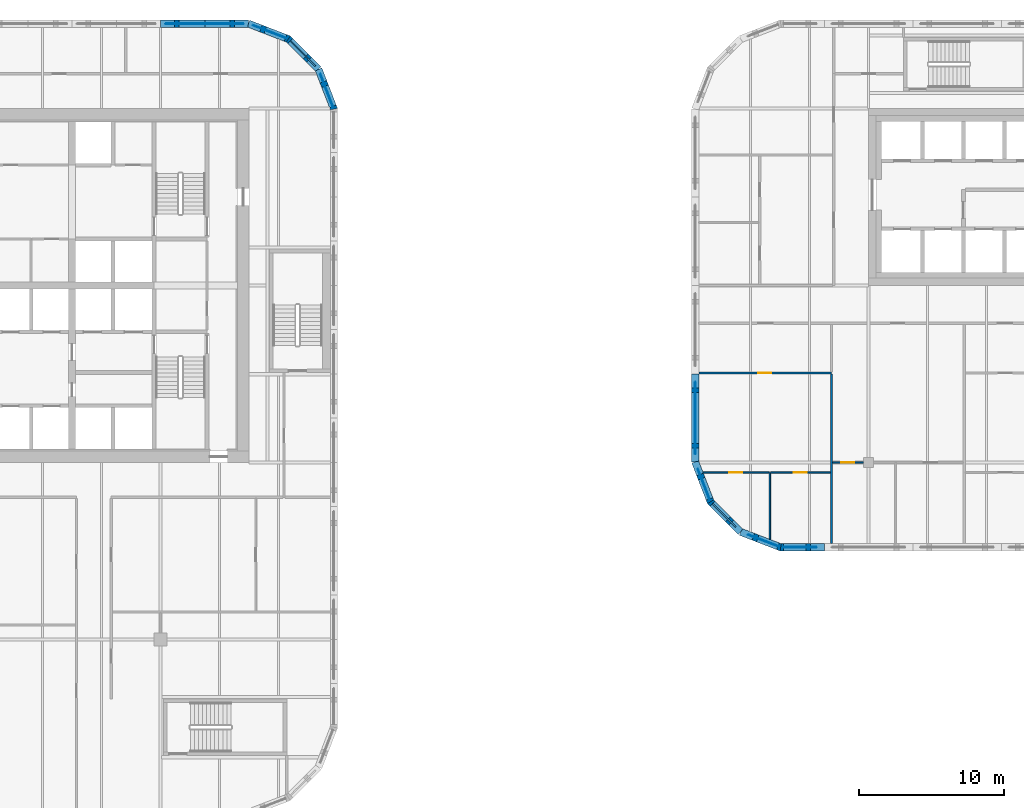
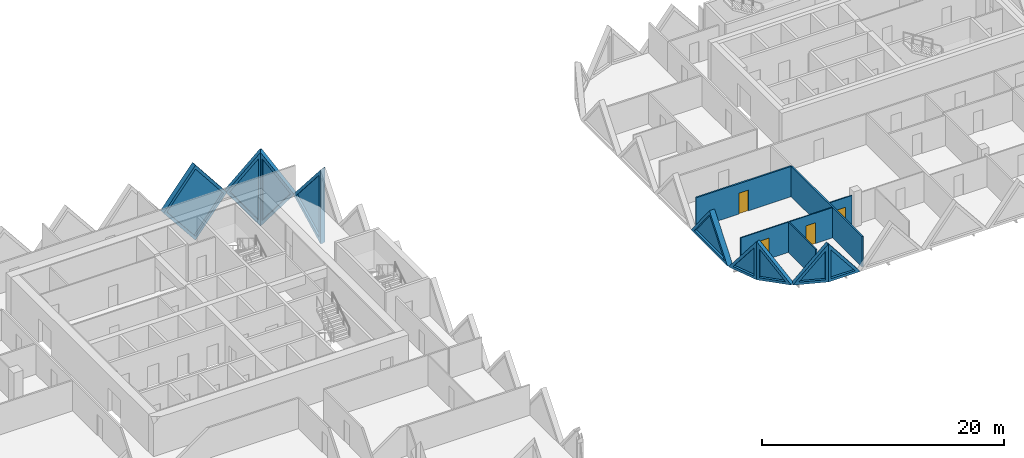
# One storey, part 11 of 18: 15 walls, 9 plates, 4 doors, 13 openings.
"""IFC4 building model written with IfcOpenShell, lengths in metres."""

from ifc_helpers import new_model, si_unit, direction, frame, frame_2d, origin, place, context, subcontext, project, spatial, polyline, rectangle, outline, extrude, faceted_brep, source, transform, mapped, material, layer, layer_set, type_object, element, fill, save


model = new_model("IFC4")

# Units and contexts
model_context = context("Model", 3, precision=1e-05, world=origin(), true_north=direction((0.0, 1.0)))
body_context = subcontext(model_context, "Body", "Model", "MODEL_VIEW")
ifc_project = project(units=[si_unit("LENGTHUNIT", "METRE"), si_unit("AREAUNIT", "SQUARE_METRE"), si_unit("VOLUMEUNIT", "CUBIC_METRE"), si_unit("PLANEANGLEUNIT", "RADIAN"), si_unit("MASSUNIT", "GRAM", prefix="KILO")], contexts=[model_context])

# Site, building, storey
site_placement = place(None, origin())
site = spatial("IfcSite", under=ifc_project, at=site_placement, CompositionType="ELEMENT")
building_placement = place(site_placement, origin())
building = spatial("IfcBuilding", under=site, at=building_placement, Name="Tessera Gate Towers", CompositionType="ELEMENT")
storey_placement = place(building_placement, frame((0.0, 0.0, 95.199951171875)))
storey = spatial("IfcBuildingStorey", under=building, at=storey_placement, Name="L23", CompositionType="ELEMENT", Elevation=95.199951171875)

# Wall
ifc_material_1 = material(Name="Gypsum board on steel studs", Category="steel")
ifc_layer_1 = layer(ifc_material_1, 0.10009765625)
ifc_layer_set_1 = layer_set([ifc_layer_1], Name="PARTITION 100")
wall_type_1 = type_object("IfcWallType", Name="PARTITION 100", PredefinedType="PARTITIONING", material=ifc_layer_set_1)
wall_1_placement = place(storey_placement, frame((90.794921875, 19.10791015625, 0.0), z_axis=(0.0, 0.0, 1.0), x_axis=(0.0, 1.0, 0.0)))
element("IfcWall", 1, at=wall_1_placement, inside=storey, type_object=wall_type_1, Name="T2-L23-PW-007", PredefinedType="PARTITIONING", context=body_context, shape_type="SweptSolid", body=[
    extrude(rectangle(XDim=4.592041015625, YDim=0.10009765625, at=frame_2d((2.2958984375, 0.0))), origin(), (0.0, 0.0, 1.0), 3.067138671875),
])

# Wall, opening, door
wall_2_placement = place(storey_placement, frame((90.744140625, 23.699951171875, 0.0), z_axis=(0.0, 0.0, 1.0), x_axis=(-1.0, 0.0, 0.0)))
wall_2 = element("IfcWall", 2, at=wall_2_placement, inside=storey, type_object=wall_type_1, Name="T2-L23-PW-008", PredefinedType="PARTITIONING", context=body_context, shape_type="SweptSolid", body=[
    extrude(rectangle(XDim=4.538330078125, YDim=0.10009765625, at=frame_2d((2.26904296875, 0.0))), origin(), (0.0, 0.0, 1.0), 3.067138671875),
])
shared_shape_1 = source(origin(), body_context, "Body", "SweptSolid", [
    extrude(rectangle(XDim=0.89990234375, YDim=2.10009765625, at=frame_2d((0.449951171875, 1.050048828125))), frame((0.0, 0.06005859375, 0.0), z_axis=(0.0, -1.0, 0.0), x_axis=(1.0, 0.0, 0.0)), (0.0, 0.0, 1.0), 0.1201171875),
])
opening_1_placement = place(wall_2_placement, frame((1.83837890625, 0.0, 0.0)))
opening_1 = element("IfcOpeningElement", 3, at=opening_1_placement, cuts=wall_2, Name="Opening D190-B10-04", PredefinedType="OPENING", context=body_context, shape_type="MappedRepresentation", body=[
    mapped(shared_shape_1, transform((0.0, 0.0, 0.0), scale=1.0)),
])
ifc_material_2 = material(Name="Timber door leaf in steel frame", Category="steel")
door_type = type_object("IfcDoorType", Name="INTERNAL DOOR 900 NOT RATED", OperationType="NOTDEFINED", PredefinedType="DOOR", material=ifc_material_2)
shared_shape_2 = source(origin(), body_context, "Body", "SweptSolid", [
    extrude(rectangle(XDim=0.89990234375, YDim=2.10009765625, at=frame_2d((0.449951171875, 1.050048828125))), frame((0.0, 0.02490234375, 0.0), z_axis=(0.0, -1.0, 0.0), x_axis=(1.0, 0.0, 0.0)), (0.0, 0.0, 1.0), 0.050048828125),
])
door_1_placement = place(opening_1_placement, origin())
door_1 = element("IfcDoor", 4, at=door_1_placement, inside=storey, type_object=door_type, Name="T2-L23-PD-004", OperationType="SINGLE_SWING_RIGHT", OverallHeight=2.10009765625, OverallWidth=0.89990234375, PredefinedType="DOOR", context=body_context, shape_type="MappedRepresentation", body=[
    mapped(shared_shape_2, transform((0.0, 0.0, 0.0), scale=1.0)),
])
fill(opening_1, door_1)

wall_3_placement = place(storey_placement, frame((94.97412109375, 23.699951171875, 0.0), z_axis=(0.0, 0.0, 1.0), x_axis=(-1.0, 0.0, 0.0)))
wall_3 = element("IfcWall", 5, at=wall_3_placement, inside=storey, type_object=wall_type_1, Name="T2-L23-PW-009", PredefinedType="PARTITIONING", context=body_context, shape_type="SweptSolid", body=[
    extrude(rectangle(XDim=4.1279296875, YDim=0.10009765625, at=frame_2d((2.06396484375, 0.0))), origin(), (0.0, 0.0, 1.0), 3.067138671875),
])
opening_2_placement = place(wall_3_placement, frame((1.627685546875, 0.0, 0.0)))
opening_2 = element("IfcOpeningElement", 6, at=opening_2_placement, cuts=wall_3, Name="Opening D190-B10-02", PredefinedType="OPENING", context=body_context, shape_type="MappedRepresentation", body=[
    mapped(shared_shape_1, transform((0.0, 0.0, 0.0), scale=1.0)),
])
door_2_placement = place(opening_2_placement, origin())
door_2 = element("IfcDoor", 7, at=door_2_placement, inside=storey, type_object=door_type, Name="T2-L23-PD-002", OperationType="SINGLE_SWING_RIGHT", OverallHeight=2.10009765625, OverallWidth=0.89990234375, PredefinedType="DOOR", context=body_context, shape_type="MappedRepresentation", body=[
    mapped(shared_shape_2, transform((0.0, 0.0, 0.0), scale=1.0)),
])
fill(opening_2, door_2)

wall_4_placement = place(storey_placement, frame((97.2490234375, 24.39990234375, 0.0), z_axis=(0.0, 0.0, 1.0), x_axis=(-1.0, 0.0, 0.0)))
wall_4 = element("IfcWall", 8, at=wall_4_placement, inside=storey, type_object=wall_type_1, Name="T2-L23-PW-013", PredefinedType="PARTITIONING", context=body_context, shape_type="SweptSolid", body=[
    extrude(rectangle(XDim=2.123046875, YDim=0.10009765625, at=frame_2d((1.0615234375, 0.0))), origin(), (0.0, 0.0, 1.0), 3.067138671875),
])
opening_3_placement = place(wall_4_placement, frame((0.623046875, 0.0, 0.0)))
opening_3 = element("IfcOpeningElement", 9, at=opening_3_placement, cuts=wall_4, Name="Opening D190-B10-01", PredefinedType="OPENING", context=body_context, shape_type="MappedRepresentation", body=[
    mapped(shared_shape_1, transform((0.0, 0.0, 0.0), scale=1.0)),
])
door_3_placement = place(opening_3_placement, origin())
door_3 = element("IfcDoor", 10, at=door_3_placement, inside=storey, type_object=door_type, Name="T2-L23-PD-001", OperationType="SINGLE_SWING_RIGHT", OverallHeight=2.10009765625, OverallWidth=0.89990234375, PredefinedType="DOOR", context=body_context, shape_type="MappedRepresentation", body=[
    mapped(shared_shape_2, transform((0.0, 0.0, 0.0), scale=1.0)),
])
fill(opening_3, door_3)

# Wall
ifc_material_3 = material(Name="Gypsum board on steel studs, mineral wool", Category="steel")
ifc_layer_2 = layer(ifc_material_3, 0.14990234375)
ifc_layer_set_2 = layer_set([ifc_layer_2], Name="TENANCY WALL 150")
wall_type_2 = type_object("IfcWallType", Name="TENANCY WALL 150", PredefinedType="PARTITIONING", material=ifc_layer_set_2)
wall_5_placement = place(storey_placement, frame((95.050048828125, 18.800048828125, 0.0), z_axis=(0.0, 0.0, 1.0), x_axis=(0.0, 1.0, 0.0)))
element("IfcWall", 11, at=wall_5_placement, inside=storey, type_object=wall_type_2, Name="T2-L23-PW-001", PredefinedType="PARTITIONING", context=body_context, shape_type="SweptSolid", body=[
    extrude(rectangle(XDim=11.698974609375, YDim=0.14990234375, at=frame_2d((5.849609375, 0.0))), origin(), (0.0, 0.0, 1.0), 3.067138671875),
])

# Wall, opening, door
wall_6_placement = place(storey_placement, frame((95.050048828125, 30.574951171875, 0.0), z_axis=(0.0, 0.0, 1.0), x_axis=(-1.0, 0.0, 0.0)))
wall_6 = element("IfcWall", 12, at=wall_6_placement, inside=storey, type_object=wall_type_2, Name="T2-L23-PW-017", PredefinedType="PARTITIONING", context=body_context, shape_type="SweptSolid", body=[
    extrude(rectangle(XDim=9.150146484375, YDim=0.14990234375, at=frame_2d((4.5751953125, 0.0))), origin(), (0.0, 0.0, 1.0), 3.067138671875),
])
shared_shape_3 = source(origin(), body_context, "Body", "SweptSolid", [
    extrude(rectangle(XDim=0.89990234375, YDim=2.10009765625, at=frame_2d((0.449951171875, 1.050048828125))), frame((0.0, 0.0849609375, 0.0), z_axis=(0.0, -1.0, 0.0), x_axis=(1.0, 0.0, 0.0)), (0.0, 0.0, 1.0), 0.169921875),
])
opening_4_placement = place(wall_6_placement, frame((4.14990234375, 0.0, 0.0)))
opening_4 = element("IfcOpeningElement", 13, at=opening_4_placement, cuts=wall_6, Name="Opening D190-B10-13", PredefinedType="OPENING", context=body_context, shape_type="MappedRepresentation", body=[
    mapped(shared_shape_3, transform((0.0, 0.0, 0.0), scale=1.0)),
])
door_4_placement = place(opening_4_placement, origin())
door_4 = element("IfcDoor", 14, at=door_4_placement, inside=storey, type_object=door_type, Name="T2-L23-PD-019", OperationType="SINGLE_SWING_RIGHT", OverallHeight=2.10009765625, OverallWidth=0.89990234375, PredefinedType="DOOR", context=body_context, shape_type="MappedRepresentation", body=[
    mapped(shared_shape_2, transform((0.0, 0.0, 0.0), scale=1.0)),
])
fill(opening_4, door_4)

# Wall, opening, plate
ifc_material_4 = material(Name="Precast concrete C60/75 white", Category="concrete")
ifc_layer_3 = layer(ifc_material_4, 0.5)
ifc_layer_set_3 = layer_set([ifc_layer_3], Name="TS3 corner tessera")
wall_type_3 = type_object("IfcWallType", Name="TS3 corner tessera", PredefinedType="SOLIDWALL", material=ifc_layer_set_3)
shared_shape_4 = source(origin(), body_context, "Body", "Brep", [
    faceted_brep([(3.050048828125, -0.25, 0.0), (0.046630859375, -0.25, 3.800048828125), (0.0, -0.25, 3.739990234375), (0.0, -0.25, 0.0), (0.09326171875, 0.25, 3.7412109375), (3.050048828125, 0.25, 0.0), (0.09326171875, 0.25, 0.0), (0.046630859375, 0.0, 3.800048828125)], [[[0, 1, 2, 3]], [[4, 5, 6]], [[5, 4, 7, 1, 0]], [[2, 1, 7]], [[6, 5, 0, 3]], [[6, 3, 2, 7, 4]]]),
])
wall_7_placement = place(storey_placement, frame((91.5, 18.550048828125, 0.0), z_axis=(0.0, 0.0, 1.0), x_axis=(1.0, 0.0, 0.0)))
wall_7 = element("IfcWall", 15, at=wall_7_placement, inside=storey, type_object=wall_type_3, Name="Precast corner tessera T2 TS3-0353", PredefinedType="SOLIDWALL", context=body_context, shape_type="MappedRepresentation", body=[
    mapped(shared_shape_4, transform((0.0, 0.0, 0.0), scale=1.0)),
])
shared_shape_5 = source(origin(), body_context, "Body", "SweptSolid", [
    extrude(outline(polyline([(2.533935546875, 0.25), (0.24658203125, 3.143798828125), (0.24658203125, 0.25), (2.533935546875, 0.25)])), frame((0.0, 0.260009765625, 0.0), z_axis=(0.0, -1.0, 0.0), x_axis=(1.0, 0.0, 0.0)), (0.0, 0.0, 1.0), 0.52001953125),
])
opening_5_placement = place(wall_7_placement, origin())
opening_5 = element("IfcOpeningElement", 16, at=opening_5_placement, cuts=wall_7, Name="Opening T2-PL1-0204", PredefinedType="OPENING", context=body_context, shape_type="MappedRepresentation", body=[
    mapped(shared_shape_5, transform((0.0, 0.0, 0.0), scale=1.0)),
])
ifc_material_5 = material(Name="Low-e laminated glass", Category="glass")
ifc_layer_4 = layer(ifc_material_5, 0.06005859375)
ifc_layer_set_4 = layer_set([ifc_layer_4], Name="PL1 triangular pane")
plate_type_1 = type_object("IfcPlateType", Name="PL1 triangular pane", PredefinedType="SHEET", material=ifc_layer_set_4)
shared_shape_6 = source(origin(), body_context, "Body", "SweptSolid", [
    extrude(outline(polyline([(2.533935546875, 0.25), (0.24658203125, 3.143798828125), (0.24658203125, 0.25), (2.533935546875, 0.25)])), frame((0.0, 0.030029296875, 0.0), z_axis=(0.0, -1.0, 0.0), x_axis=(1.0, 0.0, 0.0)), (0.0, 0.0, 1.0), 0.06005859375),
])
plate_1_placement = place(opening_5_placement, origin())
plate_1 = element("IfcPlate", 17, at=plate_1_placement, inside=storey, type_object=plate_type_1, Name="Glass pane T2 PL1-0204", PredefinedType="SHEET", context=body_context, shape_type="MappedRepresentation", body=[
    mapped(shared_shape_6, transform((0.0, 0.0, 0.0), scale=1.0)),
])
fill(opening_5, plate_1)

shared_shape_7 = source(origin(), body_context, "Body", "Brep", [
    faceted_brep([(2.9970703125, -0.25, 3.740966796875), (2.950439453125, -0.25, 3.800048828125), (0.0, -0.25, 0.0), (2.9970703125, -0.25, 0.0), (0.052978515625, 0.25, 0.068115234375), (2.904052734375, 0.25, 3.740234375), (2.904052734375, 0.25, 0.0), (0.052978515625, 0.25, 0.0), (2.950439453125, 0.00048828125, 3.800048828125), (0.0, 0.0, 0.0)], [[[0, 1, 2, 3]], [[4, 5, 6, 7]], [[8, 1, 0]], [[5, 4, 9, 2, 1, 8]], [[7, 6, 3, 2, 9]], [[7, 9, 4]], [[3, 6, 5, 8, 0]]]),
])
wall_8_placement = place(storey_placement, frame((88.793701171875, 19.61181640625, 0.0), z_axis=(0.0, 0.0, 1.0), x_axis=(0.933000876937, -0.359874094142, 0.0)))
wall_8 = element("IfcWall", 18, at=wall_8_placement, inside=storey, type_object=wall_type_3, Name="Precast corner tessera T2 TS3-0354", PredefinedType="SOLIDWALL", context=body_context, shape_type="MappedRepresentation", body=[
    mapped(shared_shape_7, transform((0.0, 0.0, 0.0), scale=1.0)),
])
shared_shape_8 = source(origin(), body_context, "Body", "SweptSolid", [
    extrude(outline(polyline([(2.75048828125, 3.134765625), (0.5107421875, 0.25), (2.75048828125, 0.25), (2.75048828125, 3.134765625)])), frame((0.0, 0.260009765625, 0.0), z_axis=(0.0, -1.0, 0.0), x_axis=(1.0, 0.0, 0.0)), (0.0, 0.0, 1.0), 0.52001953125),
])
opening_6_placement = place(wall_8_placement, origin())
opening_6 = element("IfcOpeningElement", 19, at=opening_6_placement, cuts=wall_8, Name="Opening T2-PL1-0205", PredefinedType="OPENING", context=body_context, shape_type="MappedRepresentation", body=[
    mapped(shared_shape_8, transform((0.0, 0.0, 0.0), scale=1.0)),
])
shared_shape_9 = source(origin(), body_context, "Body", "SweptSolid", [
    extrude(outline(polyline([(2.75048828125, 3.134765625), (0.5107421875, 0.25), (2.75048828125, 0.25), (2.75048828125, 3.134765625)])), frame((0.0, 0.030029296875, 0.0), z_axis=(0.0, -1.0, 0.0), x_axis=(1.0, 0.0, 0.0)), (0.0, 0.0, 1.0), 0.06005859375),
])
plate_2_placement = place(opening_6_placement, origin())
plate_2 = element("IfcPlate", 20, at=plate_2_placement, inside=storey, type_object=plate_type_1, Name="Glass pane T2 PL1-0205", PredefinedType="SHEET", context=body_context, shape_type="MappedRepresentation", body=[
    mapped(shared_shape_9, transform((0.0, 0.0, 0.0), scale=1.0)),
])
fill(opening_6, plate_2)

ifc_material_6 = material(Name="Precast concrete C60/75 white", Category="concrete")
ifc_layer_5 = layer(ifc_material_6, 0.5)
ifc_layer_set_5 = layer_set([ifc_layer_5], Name="TS2 half tessera")
wall_type_4 = type_object("IfcWallType", Name="TS2 half tessera", PredefinedType="SOLIDWALL", material=ifc_layer_set_5)
shared_shape_10 = source(origin(), body_context, "Body", "Brep", [
    faceted_brep([(6.053466796875, -0.25, 0.0), (3.050048828125, -0.25, 3.800048828125), (0.0, -0.25, 0.0), (0.0, 0.25, 0.0), (3.050048828125, 0.25, 3.800048828125), (6.0068359375, 0.25, 0.058837890625), (6.0068359375, 0.25, 0.0), (6.053466796875, 0.0, 0.0)], [[[0, 1, 2]], [[3, 4, 5, 6]], [[5, 4, 1, 0, 7]], [[4, 3, 2, 1]], [[3, 6, 7, 0, 2]], [[7, 6, 5]]]),
])
wall_9_placement = place(storey_placement, frame((85.64990234375, 30.5, 0.0), z_axis=(0.0, 0.0, 1.0), x_axis=(0.0, -1.0, 0.0)))
wall_9 = element("IfcWall", 21, at=wall_9_placement, inside=storey, type_object=wall_type_4, Name="Precast half tessera T2 TS2-0127", PredefinedType="SOLIDWALL", context=body_context, shape_type="MappedRepresentation", body=[
    mapped(shared_shape_10, transform((0.0, 0.0, 0.0), scale=1.0)),
])
shared_shape_11 = source(origin(), body_context, "Body", "SweptSolid", [
    extrude(outline(polyline([(5.537109375, 0.25), (3.048583984375, 3.398681640625), (0.521240234375, 0.25), (5.537109375, 0.25)])), frame((0.0, 0.260009765625, 0.0), z_axis=(0.0, -1.0, 0.0), x_axis=(1.0, 0.0, 0.0)), (0.0, 0.0, 1.0), 0.52001953125),
])
opening_7_placement = place(wall_9_placement, origin())
opening_7 = element("IfcOpeningElement", 22, at=opening_7_placement, cuts=wall_9, Name="Opening T2-PL1-0229", PredefinedType="OPENING", context=body_context, shape_type="MappedRepresentation", body=[
    mapped(shared_shape_11, transform((0.0, 0.0, 0.0), scale=1.0)),
])
shared_shape_12 = source(origin(), body_context, "Body", "SweptSolid", [
    extrude(outline(polyline([(5.537109375, 0.25), (3.048583984375, 3.398681640625), (0.521240234375, 0.25), (5.537109375, 0.25)])), frame((0.0, 0.030029296875, 0.0), z_axis=(0.0, -1.0, 0.0), x_axis=(1.0, 0.0, 0.0)), (0.0, 0.0, 1.0), 0.06005859375),
])
plate_3_placement = place(opening_7_placement, origin())
plate_3 = element("IfcPlate", 23, at=plate_3_placement, inside=storey, type_object=plate_type_1, Name="Glass pane T2 PL1-0229", PredefinedType="SHEET", context=body_context, shape_type="MappedRepresentation", body=[
    mapped(shared_shape_12, transform((0.0, 0.0, 0.0), scale=1.0)),
])
fill(opening_7, plate_3)

shared_shape_13 = source(origin(), body_context, "Body", "Brep", [
    faceted_brep([(3.00341796875, -0.25, 3.731689453125), (2.950439453125, -0.25, 3.800048828125), (0.0, -0.25, 0.0), (3.00341796875, -0.25, 0.0), (0.046630859375, 0.25, 0.06005859375), (2.897705078125, 0.25, 3.73193359375), (2.897705078125, 0.25, 0.0), (0.046630859375, 0.25, 0.0), (2.950439453125, 0.00048828125, 3.800048828125), (0.0, 0.0, 0.0)], [[[0, 1, 2, 3]], [[4, 5, 6, 7]], [[8, 1, 0]], [[5, 4, 9, 2, 1, 8]], [[7, 6, 3, 2, 9]], [[7, 9, 4]], [[3, 6, 5, 8, 0]]]),
])
wall_10_placement = place(storey_placement, frame((85.64990234375, 24.446533203125, 0.0), z_axis=(0.0, 0.0, 1.0), x_axis=(0.35992665181, -0.932980602862, 0.0)))
wall_10 = element("IfcWall", 24, at=wall_10_placement, inside=storey, type_object=wall_type_3, Name="Precast corner tessera T2 TS3-0359", PredefinedType="SOLIDWALL", context=body_context, shape_type="MappedRepresentation", body=[
    mapped(shared_shape_13, transform((0.0, 0.0, 0.0), scale=1.0)),
])
opening_8_placement = place(wall_10_placement, origin())
opening_8 = element("IfcOpeningElement", 25, at=opening_8_placement, cuts=wall_10, Name="Opening T2-PL1-0230", PredefinedType="OPENING", context=body_context, shape_type="MappedRepresentation", body=[
    mapped(shared_shape_8, transform((0.0, 0.0, 0.0), scale=1.0)),
])
plate_4_placement = place(opening_8_placement, origin())
plate_4 = element("IfcPlate", 26, at=plate_4_placement, inside=storey, type_object=plate_type_1, Name="Glass pane T2 PL1-0230", PredefinedType="SHEET", context=body_context, shape_type="MappedRepresentation", body=[
    mapped(shared_shape_9, transform((0.0, 0.0, 0.0), scale=1.0)),
])
fill(opening_8, plate_4)

shared_shape_14 = source(origin(), body_context, "Body", "Brep", [
    faceted_brep([(2.9970703125, -0.25, 0.0), (0.052978515625, -0.25, 3.800048828125), (0.0, -0.25, 3.73193359375), (0.0, -0.25, 0.0), (0.10595703125, 0.25, 3.731689453125), (2.944091796875, 0.25, 0.068115234375), (2.944091796875, 0.25, 0.0), (0.10595703125, 0.25, 0.0), (0.052978515625, 0.0, 3.800048828125), (2.9970703125, 0.000244140625, 0.0)], [[[0, 1, 2, 3]], [[4, 5, 6, 7]], [[5, 4, 8, 1, 0, 9]], [[2, 1, 8]], [[7, 6, 9, 0, 3]], [[7, 3, 2, 8, 4]], [[9, 6, 5]]]),
])
wall_11_placement = place(storey_placement, frame((86.674560546875, 21.731201171875, 0.0), z_axis=(0.0, 0.0, 1.0), x_axis=(0.707106781187, -0.707106781187, 0.0)))
wall_11 = element("IfcWall", 27, at=wall_11_placement, inside=storey, type_object=wall_type_3, Name="Precast corner tessera T2 TS3-0360", PredefinedType="SOLIDWALL", context=body_context, shape_type="MappedRepresentation", body=[
    mapped(shared_shape_14, transform((0.0, 0.0, 0.0), scale=1.0)),
])
shared_shape_15 = source(origin(), body_context, "Body", "SweptSolid", [
    extrude(outline(polyline([(2.487060546875, 0.25), (0.2529296875, 3.1337890625), (0.2529296875, 0.25), (2.487060546875, 0.25)])), frame((0.0, 0.260009765625, 0.0), z_axis=(0.0, -1.0, 0.0), x_axis=(1.0, 0.0, 0.0)), (0.0, 0.0, 1.0), 0.52001953125),
])
opening_9_placement = place(wall_11_placement, origin())
opening_9 = element("IfcOpeningElement", 28, at=opening_9_placement, cuts=wall_11, Name="Opening T2-PL1-0231", PredefinedType="OPENING", context=body_context, shape_type="MappedRepresentation", body=[
    mapped(shared_shape_15, transform((0.0, 0.0, 0.0), scale=1.0)),
])
shared_shape_16 = source(origin(), body_context, "Body", "SweptSolid", [
    extrude(outline(polyline([(2.487060546875, 0.25), (0.2529296875, 3.1337890625), (0.2529296875, 0.25), (2.487060546875, 0.25)])), frame((0.0, 0.030029296875, 0.0), z_axis=(0.0, -1.0, 0.0), x_axis=(1.0, 0.0, 0.0)), (0.0, 0.0, 1.0), 0.06005859375),
])
plate_5_placement = place(opening_9_placement, origin())
plate_5 = element("IfcPlate", 29, at=plate_5_placement, inside=storey, type_object=plate_type_1, Name="Glass pane T2 PL1-0231", PredefinedType="SHEET", context=body_context, shape_type="MappedRepresentation", body=[
    mapped(shared_shape_16, transform((0.0, 0.0, 0.0), scale=1.0)),
])
fill(opening_9, plate_5)

ifc_material_7 = material(Name="Precast concrete C60/75 white", Category="concrete")
ifc_layer_6 = layer(ifc_material_7, 0.5)
ifc_layer_set_6 = layer_set([ifc_layer_6], Name="TS1 tessera")
wall_type_5 = type_object("IfcWallType", Name="TS1 tessera", PredefinedType="SOLIDWALL", material=ifc_layer_set_6)
shared_shape_17 = source(origin(), body_context, "Body", "Brep", [
    faceted_brep([(3.00341796875, -0.25, 0.0), (6.053466796875, -0.25, 3.800048828125), (3.00341796875, -0.25, 7.60009765625), (0.0, -0.25, 3.800048828125), (0.046630859375, 0.25, 3.85888671875), (3.00341796875, 0.25, 7.60009765625), (6.053466796875, 0.25, 3.800048828125), (3.00341796875, 0.25, 0.0), (0.046630859375, 0.25, 3.7412109375), (0.0, 0.0, 3.800048828125)], [[[0, 1, 2, 3]], [[4, 5, 6, 7, 8]], [[7, 6, 1, 0]], [[6, 5, 2, 1]], [[5, 4, 9, 3, 2]], [[8, 7, 0, 3, 9]], [[8, 9, 4]]]),
])
wall_12_placement = place(storey_placement, frame((54.853515625, 54.64990234375, -3.800048828125), z_axis=(0.0, 0.0, 1.0), x_axis=(-1.0, 0.0, 0.0)))
wall_12 = element("IfcWall", 30, at=wall_12_placement, inside=storey, type_object=wall_type_5, Name="Precast tessera T1 TS1-0378", PredefinedType="SOLIDWALL", context=body_context, shape_type="MappedRepresentation", body=[
    mapped(shared_shape_17, transform((0.0, 0.0, 0.0), scale=1.0)),
])
shared_shape_18 = source(origin(), body_context, "Body", "SweptSolid", [
    extrude(outline(polyline([(3.0048828125, 0.4013671875), (5.73291015625, 3.800048828125), (3.0048828125, 7.19873046875), (0.318603515625, 3.800048828125), (3.0048828125, 0.4013671875)])), frame((0.0, 0.260009765625, 0.0), z_axis=(0.0, -1.0, 0.0), x_axis=(1.0, 0.0, 0.0)), (0.0, 0.0, 1.0), 0.52001953125),
])
opening_10_placement = place(wall_12_placement, origin())
opening_10 = element("IfcOpeningElement", 31, at=opening_10_placement, cuts=wall_12, Name="Opening T1-PL2-0770", PredefinedType="OPENING", context=body_context, shape_type="MappedRepresentation", body=[
    mapped(shared_shape_18, transform((0.0, 0.0, 0.0), scale=1.0)),
])
ifc_material_8 = material(Name="Low-e laminated glass", Category="glass")
ifc_layer_7 = layer(ifc_material_8, 0.06005859375)
ifc_layer_set_7 = layer_set([ifc_layer_7], Name="PL2 rhombic pane")
plate_type_2 = type_object("IfcPlateType", Name="PL2 rhombic pane", PredefinedType="SHEET", material=ifc_layer_set_7)
shared_shape_19 = source(origin(), body_context, "Body", "SweptSolid", [
    extrude(outline(polyline([(3.0048828125, 0.4013671875), (5.73291015625, 3.800048828125), (3.0048828125, 7.19873046875), (0.318603515625, 3.800048828125), (3.0048828125, 0.4013671875)])), frame((0.0, 0.030029296875, 0.0), z_axis=(0.0, -1.0, 0.0), x_axis=(1.0, 0.0, 0.0)), (0.0, 0.0, 1.0), 0.06005859375),
])
plate_6_placement = place(opening_10_placement, origin())
plate_6 = element("IfcPlate", 32, at=plate_6_placement, inside=storey, type_object=plate_type_2, Name="Glass pane T1 PL2-0770", PredefinedType="SHEET", context=body_context, shape_type="MappedRepresentation", body=[
    mapped(shared_shape_19, transform((0.0, 0.0, 0.0), scale=1.0)),
])
fill(opening_10, plate_6)

shared_shape_20 = source(origin(), body_context, "Body", "Brep", [
    faceted_brep([(0.046630859375, -0.25, 0.0), (2.9970703125, -0.25, 3.800048828125), (0.046630859375, -0.25, 7.60009765625), (0.0, -0.25, 7.541259765625), (0.0, -0.25, 0.058837890625), (0.09326171875, 0.25, 7.5400390625), (2.9443359375, 0.25, 3.8681640625), (2.9443359375, 0.25, 3.73193359375), (0.09326171875, 0.25, 0.06005859375), (2.9970703125, 0.00048828125, 3.800048828125), (0.046630859375, 0.0, 0.0), (0.046630859375, 0.0, 7.60009765625)], [[[0, 1, 2, 3, 4]], [[5, 6, 7, 8]], [[8, 7, 9, 1, 0, 10]], [[6, 5, 11, 2, 1, 9]], [[3, 2, 11]], [[10, 0, 4]], [[8, 10, 4, 3, 11, 5]], [[9, 7, 6]]]),
])
wall_13_placement = place(storey_placement, frame((60.766845703125, 48.7099609375, -3.800048828125), z_axis=(0.0, 0.0, 1.0), x_axis=(-0.359901446078, 0.932990326376, 0.0)))
wall_13 = element("IfcWall", 33, at=wall_13_placement, inside=storey, type_object=wall_type_3, Name="Precast corner tessera T1 TS3-0510", PredefinedType="SOLIDWALL", context=body_context, shape_type="MappedRepresentation", body=[
    mapped(shared_shape_20, transform((0.0, 0.0, 0.0), scale=1.0)),
])
shared_shape_21 = source(origin(), body_context, "Body", "SweptSolid", [
    extrude(outline(polyline([(0.24658203125, 0.665283203125), (2.6806640625, 3.800048828125), (0.24658203125, 6.934814453125), (0.24658203125, 0.665283203125)])), frame((0.0, 0.260009765625, 0.0), z_axis=(0.0, -1.0, 0.0), x_axis=(1.0, 0.0, 0.0)), (0.0, 0.0, 1.0), 0.52001953125),
])
opening_11_placement = place(wall_13_placement, origin())
opening_11 = element("IfcOpeningElement", 34, at=opening_11_placement, cuts=wall_13, Name="Opening T1-PL2-0767", PredefinedType="OPENING", context=body_context, shape_type="MappedRepresentation", body=[
    mapped(shared_shape_21, transform((0.0, 0.0, 0.0), scale=1.0)),
])
shared_shape_22 = source(origin(), body_context, "Body", "SweptSolid", [
    extrude(outline(polyline([(0.24658203125, 0.665283203125), (2.6806640625, 3.800048828125), (0.24658203125, 6.934814453125), (0.24658203125, 0.665283203125)])), frame((0.0, 0.030029296875, 0.0), z_axis=(0.0, -1.0, 0.0), x_axis=(1.0, 0.0, 0.0)), (0.0, 0.0, 1.0), 0.06005859375),
])
plate_7_placement = place(opening_11_placement, origin())
plate_7 = element("IfcPlate", 35, at=plate_7_placement, inside=storey, type_object=plate_type_2, Name="Glass pane T1 PL2-0767", PredefinedType="SHEET", context=body_context, shape_type="MappedRepresentation", body=[
    mapped(shared_shape_22, transform((0.0, 0.0, 0.0), scale=1.0)),
])
fill(opening_11, plate_7)

shared_shape_23 = source(origin(), body_context, "Body", "Brep", [
    faceted_brep([(2.944091796875, -0.25, 0.0), (2.9970703125, -0.25, 0.068115234375), (2.9970703125, -0.25, 7.531982421875), (2.944091796875, -0.25, 7.60009765625), (0.0, -0.25, 3.800048828125), (0.052978515625, 0.25, 3.868408203125), (2.89111328125, 0.25, 7.531982421875), (2.89111328125, 0.25, 0.068115234375), (0.052978515625, 0.25, 3.731689453125), (2.944091796875, 0.000244140625, 0.0), (2.944091796875, 0.000244140625, 7.60009765625), (0.0, 0.0, 3.800048828125)], [[[0, 1, 2, 3, 4]], [[5, 6, 7, 8]], [[1, 0, 9]], [[10, 3, 2]], [[6, 5, 11, 4, 3, 10]], [[8, 7, 9, 0, 4, 11]], [[8, 11, 5]], [[1, 9, 7, 6, 10, 2]]]),
])
wall_14_placement = place(storey_placement, frame((59.68798828125, 51.50634765625, -3.800048828125), z_axis=(0.0, 0.0, 1.0), x_axis=(-0.707106781187, 0.707106781187, 0.0)))
wall_14 = element("IfcWall", 36, at=wall_14_placement, inside=storey, type_object=wall_type_3, Name="Precast corner tessera T1 TS3-0511", PredefinedType="SOLIDWALL", context=body_context, shape_type="MappedRepresentation", body=[
    mapped(shared_shape_23, transform((0.0, 0.0, 0.0), scale=1.0)),
])
shared_shape_24 = source(origin(), body_context, "Body", "SweptSolid", [
    extrude(outline(polyline([(2.744140625, 6.933837890625), (0.316162109375, 3.800048828125), (2.744140625, 0.66650390625), (2.744140625, 6.933837890625)])), frame((0.0, 0.260009765625, 0.0), z_axis=(0.0, -1.0, 0.0), x_axis=(1.0, 0.0, 0.0)), (0.0, 0.0, 1.0), 0.52001953125),
])
opening_12_placement = place(wall_14_placement, origin())
opening_12 = element("IfcOpeningElement", 37, at=opening_12_placement, cuts=wall_14, Name="Opening T1-PL2-0768", PredefinedType="OPENING", context=body_context, shape_type="MappedRepresentation", body=[
    mapped(shared_shape_24, transform((0.0, 0.0, 0.0), scale=1.0)),
])
shared_shape_25 = source(origin(), body_context, "Body", "SweptSolid", [
    extrude(outline(polyline([(2.744140625, 6.933837890625), (0.316162109375, 3.800048828125), (2.744140625, 0.66650390625), (2.744140625, 6.933837890625)])), frame((0.0, 0.030029296875, 0.0), z_axis=(0.0, -1.0, 0.0), x_axis=(1.0, 0.0, 0.0)), (0.0, 0.0, 1.0), 0.06005859375),
])
plate_8_placement = place(opening_12_placement, origin())
plate_8 = element("IfcPlate", 38, at=plate_8_placement, inside=storey, type_object=plate_type_2, Name="Glass pane T1 PL2-0768", PredefinedType="SHEET", context=body_context, shape_type="MappedRepresentation", body=[
    mapped(shared_shape_25, transform((0.0, 0.0, 0.0), scale=1.0)),
])
fill(opening_12, plate_8)

shared_shape_26 = source(origin(), body_context, "Body", "Brep", [
    faceted_brep([(0.052978515625, -0.25, 0.0), (3.00341796875, -0.25, 3.800048828125), (0.052978515625, -0.25, 7.60009765625), (0.0, -0.25, 7.53173828125), (0.0, -0.25, 0.068359375), (0.10595703125, 0.25, 7.531982421875), (2.95703125, 0.25, 3.85986328125), (2.95703125, 0.25, 3.740234375), (0.10595703125, 0.25, 0.068115234375), (3.00341796875, 0.00048828125, 3.800048828125), (0.052978515625, 0.0, 0.0), (0.052978515625, 0.0, 7.60009765625)], [[[0, 1, 2, 3, 4]], [[5, 6, 7, 8]], [[8, 7, 9, 1, 0, 10]], [[6, 5, 11, 2, 1, 9]], [[3, 2, 11]], [[10, 0, 4]], [[8, 10, 4, 3, 11, 5]], [[9, 7, 6]]]),
])
wall_15_placement = place(storey_placement, frame((57.65576171875, 53.569091796875, -3.800048828125), z_axis=(0.0, 0.0, 1.0), x_axis=(-0.933007896601, 0.359855894603, 0.0)))
wall_15 = element("IfcWall", 39, at=wall_15_placement, inside=storey, type_object=wall_type_3, Name="Precast corner tessera T1 TS3-0512", PredefinedType="SOLIDWALL", context=body_context, shape_type="MappedRepresentation", body=[
    mapped(shared_shape_26, transform((0.0, 0.0, 0.0), scale=1.0)),
])
shared_shape_27 = source(origin(), body_context, "Body", "SweptSolid", [
    extrude(outline(polyline([(0.2529296875, 0.665283203125), (2.68701171875, 3.800048828125), (0.2529296875, 6.934814453125), (0.2529296875, 0.665283203125)])), frame((0.0, 0.260009765625, 0.0), z_axis=(0.0, -1.0, 0.0), x_axis=(1.0, 0.0, 0.0)), (0.0, 0.0, 1.0), 0.52001953125),
])
opening_13_placement = place(wall_15_placement, origin())
opening_13 = element("IfcOpeningElement", 40, at=opening_13_placement, cuts=wall_15, Name="Opening T1-PL2-0769", PredefinedType="OPENING", context=body_context, shape_type="MappedRepresentation", body=[
    mapped(shared_shape_27, transform((0.0, 0.0, 0.0), scale=1.0)),
])
shared_shape_28 = source(origin(), body_context, "Body", "SweptSolid", [
    extrude(outline(polyline([(0.2529296875, 0.665283203125), (2.68701171875, 3.800048828125), (0.2529296875, 6.934814453125), (0.2529296875, 0.665283203125)])), frame((0.0, 0.030029296875, 0.0), z_axis=(0.0, -1.0, 0.0), x_axis=(1.0, 0.0, 0.0)), (0.0, 0.0, 1.0), 0.06005859375),
])
plate_9_placement = place(opening_13_placement, origin())
plate_9 = element("IfcPlate", 41, at=plate_9_placement, inside=storey, type_object=plate_type_2, Name="Glass pane T1 PL2-0769", PredefinedType="SHEET", context=body_context, shape_type="MappedRepresentation", body=[
    mapped(shared_shape_28, transform((0.0, 0.0, 0.0), scale=1.0)),
])
fill(opening_13, plate_9)

save(model, "model.ifc")
